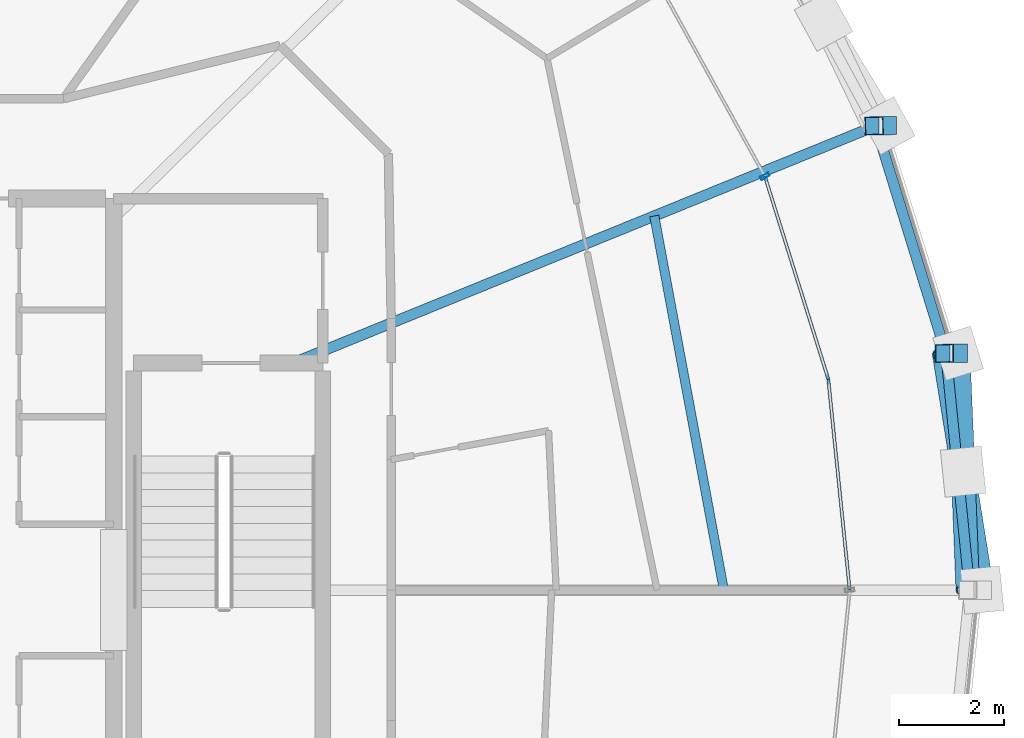
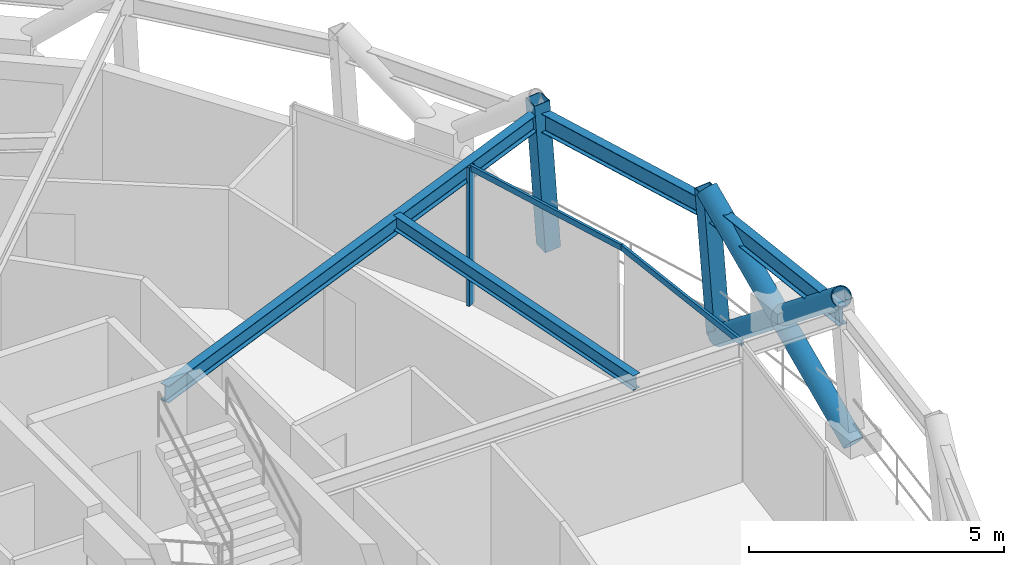
# One storey, part 7 of 16: 8 members, 4 beams, 1 element without a shape of its own.
"""IFC4 building model written with IfcOpenShell, lengths in metres."""

from ifc_helpers import new_model, si_unit, direction, frame, origin, origin_2d, place, context, subcontext, project, spatial, hollow_rectangle, hollow_circle, i_section, extrude, material, layer, layer_set, material_profile, profile_set, type_object, element, aggregate, save


model = new_model("IFC4")

# Units and contexts
model_context = context("Model", 3, precision=1e-05, world=origin(), true_north=direction((0.0, 1.0)))
body_context = subcontext(model_context, "Body", "Model", "MODEL_VIEW")
ifc_project = project(units=[si_unit("LENGTHUNIT", "METRE"), si_unit("AREAUNIT", "SQUARE_METRE"), si_unit("VOLUMEUNIT", "CUBIC_METRE"), si_unit("PLANEANGLEUNIT", "RADIAN"), si_unit("MASSUNIT", "GRAM", prefix="KILO")], contexts=[model_context])

# Site, building, storey
site_placement = place(None, origin())
site = spatial("IfcSite", under=ifc_project, at=site_placement, CompositionType="ELEMENT")
building_placement = place(site_placement, origin())
building = spatial("IfcBuilding", under=site, at=building_placement, Name="Veldorina Hangang Commons", CompositionType="ELEMENT")
storey_placement = place(building_placement, frame((0.0, 0.0, 240.0)))
storey = spatial("IfcBuildingStorey", under=building, at=storey_placement, Name="L62", CompositionType="ELEMENT", Elevation=240.0)

# Beams
ifc_material_1 = material(Name="Steel SM355-TMC", Category="steel")
ifc_material_profile_1 = material_profile(ifc_material_1, i_section(OverallWidth=0.199951171875, OverallDepth=0.39990234375, WebThickness=0.008056640625, FlangeThickness=0.012939453125, FilletRadius=0.012939453125, at=origin_2d()), Name="H-400x200x8x13")
ifc_profile_set_1 = profile_set([ifc_material_profile_1], Name="Steel SM355-TMC")
beam_type_1 = type_object("IfcBeamType", Name="BM-FG400", PredefinedType="BEAM", material=ifc_profile_set_1)
beam_1_placement = place(storey_placement, frame((42.6123046875, 28.320068359375, 3.159912109375), z_axis=(0.926207911003, 0.377013137167, 0.0), x_axis=(-0.377013137167, 0.926207911003, 0.0)))
element("IfcBeam", 1, at=beam_1_placement, inside=storey, type_object=beam_type_1, Name="L62 radial floor girder 02", PredefinedType="BEAM", context=body_context, shape_type="SweptSolid", body=[
    extrude(i_section(OverallWidth=0.199951171875, OverallDepth=0.39990234375, WebThickness=0.008056640625, FlangeThickness=0.012939453125, FilletRadius=0.012939453125, at=origin_2d()), origin(), (0.0, 0.0, 1.0), 11.971435546875),
])
ifc_material_profile_2 = material_profile(ifc_material_1, i_section(OverallWidth=0.175048828125, OverallDepth=0.35009765625, WebThickness=0.007080078125, FlangeThickness=0.010986328125, FilletRadius=0.012939453125, at=origin_2d()), Name="H-350x175x7x11")
ifc_profile_set_2 = profile_set([ifc_material_profile_2], Name="Steel SM355-TMC")
beam_type_2 = type_object("IfcBeamType", Name="BM-JST350", PredefinedType="JOIST", material=ifc_profile_set_2)
beam_2_placement = place(storey_placement, frame((50.811279296875, 24.0, 3.18505859375), z_axis=(-0.182889726082, 0.983133433514, 0.0), x_axis=(-0.983133433514, -0.182889726082, 0.0)))
element("IfcBeam", 2, at=beam_2_placement, inside=storey, type_object=beam_type_2, Name="L62 secondary floor joist 01", PredefinedType="JOIST", context=body_context, shape_type="SweptSolid", body=[
    extrude(i_section(OverallWidth=0.175048828125, OverallDepth=0.35009765625, WebThickness=0.007080078125, FlangeThickness=0.010986328125, FilletRadius=0.012939453125, at=origin_2d()), origin(), (0.0, 0.0, 1.0), 7.240478515625),
])
ifc_material_profile_3 = material_profile(ifc_material_1, i_section(OverallWidth=0.199951171875, OverallDepth=0.449951171875, WebThickness=0.009033203125, FlangeThickness=0.013916015625, FilletRadius=0.01611328125, at=origin_2d()), Name="H-450x200x9x14")
ifc_profile_set_3 = profile_set([ifc_material_profile_3], Name="Steel SM355-TMC")
beam_type_3 = type_object("IfcBeamType", Name="BM-RB450", PredefinedType="BEAM", material=ifc_profile_set_3)
beam_3_placement = place(storey_placement, frame((55.48828125, 24.0, 3.135009765625), z_axis=(-0.099685305186, 0.995019014859, 0.0), x_axis=(-0.995019014859, -0.099685305186, 0.0)))
element("IfcBeam", 3, at=beam_3_placement, inside=storey, type_object=beam_type_3, Name="L62 perimeter hoop ring beam 00", PredefinedType="BEAM", context=body_context, shape_type="SweptSolid", body=[
    extrude(i_section(OverallWidth=0.199951171875, OverallDepth=0.449951171875, WebThickness=0.009033203125, FlangeThickness=0.013916015625, FilletRadius=0.01611328125, at=origin_2d()), origin(), (0.0, 0.0, 1.0), 4.52587890625),
])
beam_4_placement = place(storey_placement, frame((55.037109375, 28.50341796875, 3.135009765625), z_axis=(-0.294960232046, 0.955509529786, 0.0), x_axis=(-0.955509529786, -0.294960232046, 0.0)))
element("IfcBeam", 4, at=beam_4_placement, inside=storey, type_object=beam_type_3, Name="L62 perimeter hoop ring beam 01", PredefinedType="BEAM", context=body_context, shape_type="SweptSolid", body=[
    extrude(i_section(OverallWidth=0.199951171875, OverallDepth=0.449951171875, WebThickness=0.009033203125, FlangeThickness=0.013916015625, FilletRadius=0.01611328125, at=origin_2d()), origin(), (0.0, 0.0, 1.0), 4.53173828125),
])

# Curtain wall, members
ifc_material_2 = material(Name="Glass Low-E Selective", Category="glass")
ifc_layer = layer(ifc_material_2, 0.179931640625)
ifc_layer_set = layer_set([ifc_layer], Name="Glass Low-E Selective")
curtain_wall_type = type_object("IfcCurtainWallType", Name="CW-SYS-Z3", PredefinedType="NOTDEFINED", material=ifc_layer_set)
curtain_wall_placement = place(storey_placement, origin())
curtain_wall = element("IfcCurtainWall", 5, at=curtain_wall_placement, inside=storey, type_object=curtain_wall_type, Name="L62 unitised curtain wall CW-L62-R2", PredefinedType="NOTDEFINED")
ifc_material_3 = material(Name="Aluminium Anodized AA6063-T6", Category="aluminium")
ifc_material_profile_4 = material_profile(ifc_material_3, hollow_rectangle(XDim=0.070068359375, YDim=0.179931640625, WallThickness=0.00390625, at=origin_2d()), Name="ALU-RHS-180x70x4")
ifc_profile_set_4 = profile_set([ifc_material_profile_4], Name="Aluminium Anodized AA6063-T6")
member_type_1 = type_object("IfcMemberType", Name="CW-MUL-180", PredefinedType="MULLION", material=ifc_profile_set_4)
member_1_placement = place(storey_placement, frame((51.59130859375, 31.873291015625, 0.0), z_axis=(0.0, 0.0, 1.0), x_axis=(-0.482548786301, 0.875869093438, 0.0)))
member_1 = element("IfcMember", 6, at=member_1_placement, type_object=member_type_1, Name="CW-L62-R2 vertical mullion 3", PredefinedType="MULLION", context=body_context, shape_type="SweptSolid", body=[
    extrude(hollow_rectangle(XDim=0.070068359375, YDim=0.179931640625, WallThickness=0.00390625, at=origin_2d()), origin(), (0.0, 0.0, 1.0), 3.320068359375),
])
ifc_material_profile_5 = material_profile(ifc_material_3, hollow_rectangle(XDim=0.06005859375, YDim=0.139892578125, WallThickness=0.00341796875, at=origin_2d()), Name="ALU-RHS-140x60x3.5")
ifc_profile_set_5 = profile_set([ifc_material_profile_5], Name="Aluminium Anodized AA6063-T6")
member_type_2 = type_object("IfcMemberType", Name="CW-TRN-140", PredefinedType="USERDEFINED", material=ifc_profile_set_5)
member_2_placement = place(storey_placement, frame((53.205322265625, 24.0, 3.280029296875), z_axis=(-0.10099545132, 0.994886887446, 0.0), x_axis=(-0.994886887446, -0.10099545132, 0.0)))
member_2 = element("IfcMember", 7, at=member_2_placement, type_object=member_type_2, Name="CW-L62-R2 facet 3 transom 1", ObjectType="TRANSOM", PredefinedType="USERDEFINED", context=body_context, shape_type="SweptSolid", body=[
    extrude(hollow_rectangle(XDim=0.06005859375, YDim=0.139892578125, WallThickness=0.00341796875, at=origin_2d()), origin(), (0.0, 0.0, 1.0), 4.034423828125),
])
member_3_placement = place(storey_placement, frame((52.7978515625, 28.013916015625, 3.280029296875), z_axis=(-0.298385002605, 0.954445593117, 0.0), x_axis=(-0.954445593117, -0.298385002605, 0.0)))
member_3 = element("IfcMember", 8, at=member_3_placement, type_object=member_type_2, Name="CW-L62-R2 facet 4 transom 1", ObjectType="TRANSOM", PredefinedType="USERDEFINED", context=body_context, shape_type="SweptSolid", body=[
    extrude(hollow_rectangle(XDim=0.06005859375, YDim=0.139892578125, WallThickness=0.00341796875, at=origin_2d()), origin(), (0.0, 0.0, 1.0), 4.04345703125),
])
aggregate(curtain_wall, [member_1, member_2, member_3])

# Members
ifc_material_profile_6 = material_profile(ifc_material_1, hollow_circle(Radius=0.22509765625, WallThickness=0.02197265625, at=origin_2d()), Name="CHS-450x22")
ifc_profile_set_6 = profile_set([ifc_material_profile_6], Name="Steel SM355-TMC")
member_type_3 = type_object("IfcMemberType", Name="DG-CHS450", PredefinedType="BRACE", material=ifc_profile_set_6)
member_4_placement = place(storey_placement, frame((55.725341796875, 24.0, 0.0), z_axis=(-0.124375539081, 0.774994068515, 0.61960868219), x_axis=(-0.987365691652, -0.158458167821, 0.0)))
element("IfcMember", 9, at=member_4_placement, inside=storey, type_object=member_type_3, Name="L62 continuous perimeter diagrid brace 00", PredefinedType="BRACE", context=body_context, shape_type="SweptSolid", body=[
    extrude(hollow_circle(Radius=0.22509765625, WallThickness=0.02197265625, at=origin_2d()), origin(), (0.0, 0.0, 1.0), 5.810302734375),
])
member_5_placement = place(storey_placement, frame((55.26953125, 28.50537109375, 0.0), z_axis=(0.032740831438, -0.780788458248, 0.623937033219), x_axis=(0.999121967963, 0.041896218615, 0.0)))
element("IfcMember", 10, at=member_5_placement, inside=storey, type_object=member_type_3, Name="L62 split perimeter diagrid lower brace 01", PredefinedType="BRACE", context=body_context, shape_type="SweptSolid", body=[
    extrude(hollow_circle(Radius=0.22509765625, WallThickness=0.02197265625, at=origin_2d()), origin(), (0.0, 0.0, 1.0), 2.8857421875),
])
member_6_placement = place(storey_placement, frame((55.364013671875, 26.252197265625, 1.800537109375), z_axis=(0.030896112696, -0.780867505807, 0.623932182689), x_axis=(0.999218168016, 0.03953546139, 0.0)))
element("IfcMember", 11, at=member_6_placement, inside=storey, type_object=member_type_3, Name="L62 split perimeter diagrid upper brace 01", PredefinedType="BRACE", context=body_context, shape_type="SweptSolid", body=[
    extrude(hollow_circle(Radius=0.22509765625, WallThickness=0.02197265625, at=origin_2d()), origin(), (0.0, 0.0, 1.0), 2.88427734375),
])
ifc_material_profile_7 = material_profile(ifc_material_1, hollow_rectangle(XDim=0.35009765625, YDim=0.35009765625, WallThickness=0.01611328125, at=origin_2d()), Name="SHS-350x350x16")
ifc_profile_set_7 = profile_set([ifc_material_profile_7], Name="Steel SM355-TMC")
member_type_4 = type_object("IfcMemberType", Name="STR-SHS350", PredefinedType="STRUT", material=ifc_profile_set_7)
member_7_placement = place(storey_placement, frame((55.26953125, 28.50537109375, 0.0), z_axis=(-0.073918999934, -0.000676294601, 0.997264019242), x_axis=(0.009148747935, -0.99995814933, 0.0)))
element("IfcMember", 12, at=member_7_placement, inside=storey, type_object=member_type_4, Name="L62 perimeter ring node post 01", PredefinedType="STRUT", context=body_context, shape_type="SweptSolid", body=[
    extrude(hollow_rectangle(XDim=0.35009765625, YDim=0.35009765625, WallThickness=0.01611328125, at=origin_2d()), origin(), (0.0, 0.0, 1.0), 3.60986328125),
])
member_8_placement = place(storey_placement, frame((53.91943359375, 32.837646484375, 0.0), z_axis=(-0.069679618288, -0.001285352182, 0.997568593464), x_axis=(0.018443464264, -0.999829904847, 0.0)))
element("IfcMember", 13, at=member_8_placement, inside=storey, type_object=member_type_4, Name="L62 perimeter ring node post 02", PredefinedType="STRUT", context=body_context, shape_type="SweptSolid", body=[
    extrude(hollow_rectangle(XDim=0.35009765625, YDim=0.35009765625, WallThickness=0.01611328125, at=origin_2d()), origin(), (0.0, 0.0, 1.0), 3.60888671875),
])

save(model, "model.ifc")
